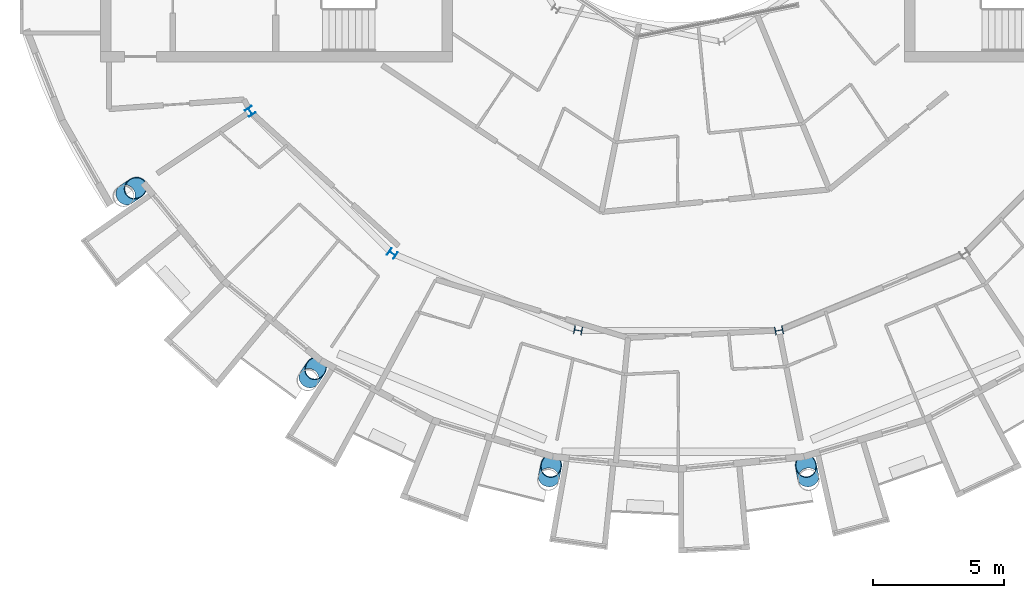
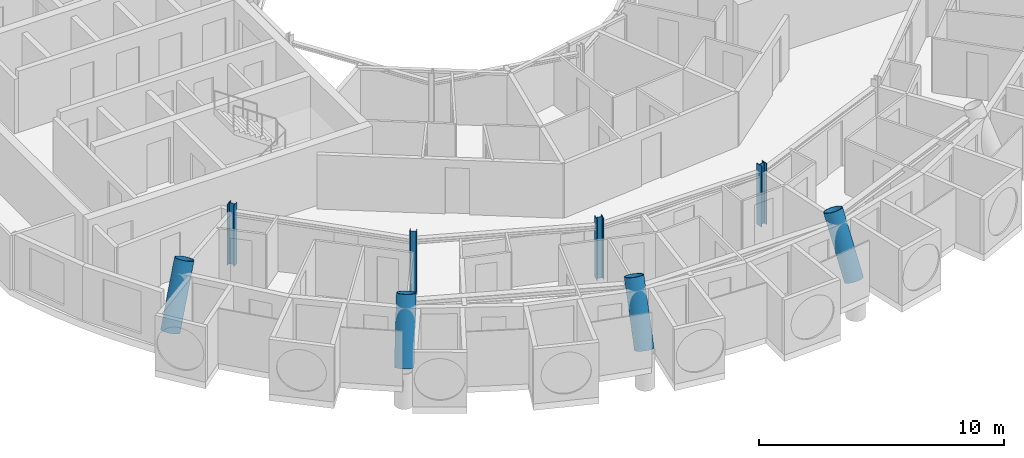
# One storey, part 1 of 27: 8 columns.
"""IFC4 building model written with IfcOpenShell, lengths in metres."""

from ifc_helpers import new_model, si_unit, direction, frame, origin, origin_2d, place, context, subcontext, project, spatial, hollow_circle, i_section, extrude, material, material_profile, profile_set, type_object, element, save


model = new_model("IFC4")

# Units and contexts
model_context = context("Model", 3, precision=1e-05, world=origin(), true_north=direction((0.0, 1.0)))
body_context = subcontext(model_context, "Body", "Model", "MODEL_VIEW")
ifc_project = project(units=[si_unit("LENGTHUNIT", "METRE"), si_unit("AREAUNIT", "SQUARE_METRE"), si_unit("VOLUMEUNIT", "CUBIC_METRE"), si_unit("PLANEANGLEUNIT", "RADIAN"), si_unit("MASSUNIT", "GRAM", prefix="KILO")], contexts=[model_context])

# Site, building, storey
site_placement = place(None, origin())
site = spatial("IfcSite", under=ifc_project, at=site_placement, CompositionType="ELEMENT")
building_placement = place(site_placement, origin())
building = spatial("IfcBuilding", under=site, at=building_placement, Name="Maasbend Ring Residences", CompositionType="ELEMENT")
storey_placement = place(building_placement, frame((0.0, 0.0, 243.199951171875)))
storey = spatial("IfcBuildingStorey", under=building, at=storey_placement, Name="L70", CompositionType="ELEMENT", Elevation=243.199951171875)

# Columns
ifc_material_1 = material(Name="Composite concrete-filled steel tube S460NH / C80/95", Category="concrete")
ifc_material_profile_1 = material_profile(ifc_material_1, hollow_circle(Radius=0.406494140625, WallThickness=0.030029296875, at=origin_2d()), Name="Composite tube column CHS 813x30")
ifc_profile_set_1 = profile_set([ifc_material_profile_1], Name="Composite concrete-filled steel tube S460NH / C80/95")
column_type_1 = type_object("IfcColumnType", Name="Composite tube column CHS 813x30", PredefinedType="COLUMN", material=ifc_profile_set_1)
for number, where, z_axis, x_axis, name in (
    (1, (-21.027099609375, -14.0498046875, 0.241943359375), (0.346875102267, 0.231750495433, 0.908828570905), (-0.555530396269, 0.831496228988, 0.0), "Outer column R10"),
    (2, (-14.0498046875, -21.027099609375, 0.241943359375), (0.231750495433, 0.346875102267, 0.908828570905), (-0.831496228988, 0.555530396269, 0.0), "Outer column R11"),
    (3, (-4.93359375, -24.802978515625, 0.241943359375), (0.081385783955, 0.409141348854, 0.908834259273), (-0.980784129255, 0.195096109141, 0.0), "Outer column R12"),
    (4, (4.93359375, -24.802978515625, 0.241943359375), (-0.081385783955, 0.409141348854, 0.908834259273), (-0.980784129255, -0.195096109141, 0.0), "Outer column R13"),
):
    element("IfcColumn", number, at=place(storey_placement, frame(where, z_axis=z_axis, x_axis=x_axis)), inside=storey, type_object=column_type_1, Name=name, PredefinedType="COLUMN", context=body_context, shape_type="SweptSolid", body=[
        extrude(hollow_circle(Radius=0.406494140625, WallThickness=0.030029296875, at=origin_2d()), origin(), (0.0, 0.0, 1.0), 3.08984375),
    ])
ifc_material_2 = material(Name="Steel S355J2", Category="steel")
ifc_material_profile_2 = material_profile(ifc_material_2, i_section(OverallWidth=0.300048828125, OverallDepth=0.300048828125, WebThickness=0.010986328125, FlangeThickness=0.01904296875, FilletRadius=0.027099609375, at=origin_2d()), Name="HEB 300")
ifc_profile_set_2 = profile_set([ifc_material_profile_2], Name="Steel S355J2")
column_type_2 = type_object("IfcColumnType", Name="Steel column HEB 300", PredefinedType="COLUMN", material=ifc_profile_set_2)
for number, where, z_axis, x_axis, name in (
    (5, (-16.296875, -10.88916015625, 0.0), (0.0, 0.0, 1.0), (-0.831469612303, -0.55557023302, 0.0), "Corridor ring column R10"),
    (6, (-10.88916015625, -16.296875, 0.0), (0.0, 0.0, 1.0), (-0.55557023302, -0.831469612303, 0.0), "Corridor ring column R11"),
    (7, (-3.82373046875, -19.223388671875, 0.0), (0.0, 0.0, 1.0), (-0.195090322016, -0.980785280403, 0.0), "Corridor ring column R12"),
    (8, (3.82373046875, -19.223388671875, 0.0), (0.0, 0.0, 1.0), (0.195090322016, -0.980785280403, 0.0), "Corridor ring column R13"),
):
    element("IfcColumn", number, at=place(storey_placement, frame(where, z_axis=z_axis, x_axis=x_axis)), inside=storey, type_object=column_type_2, Name=name, PredefinedType="COLUMN", context=body_context, shape_type="SweptSolid", body=[
        extrude(i_section(OverallWidth=0.300048828125, OverallDepth=0.300048828125, WebThickness=0.010986328125, FlangeThickness=0.01904296875, FilletRadius=0.027099609375, at=origin_2d()), origin(), (0.0, 0.0, 1.0), 3.050048828125),
    ])

save(model, "model.ifc")
